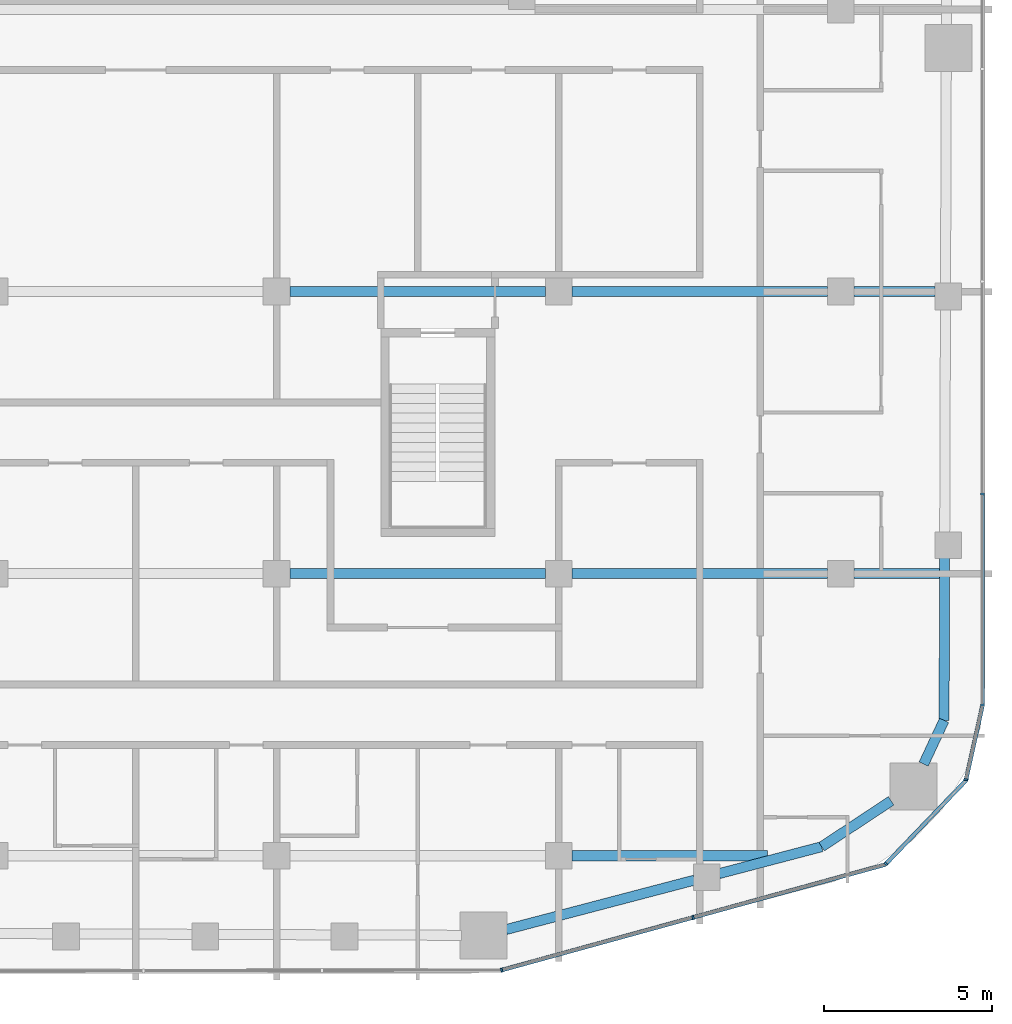
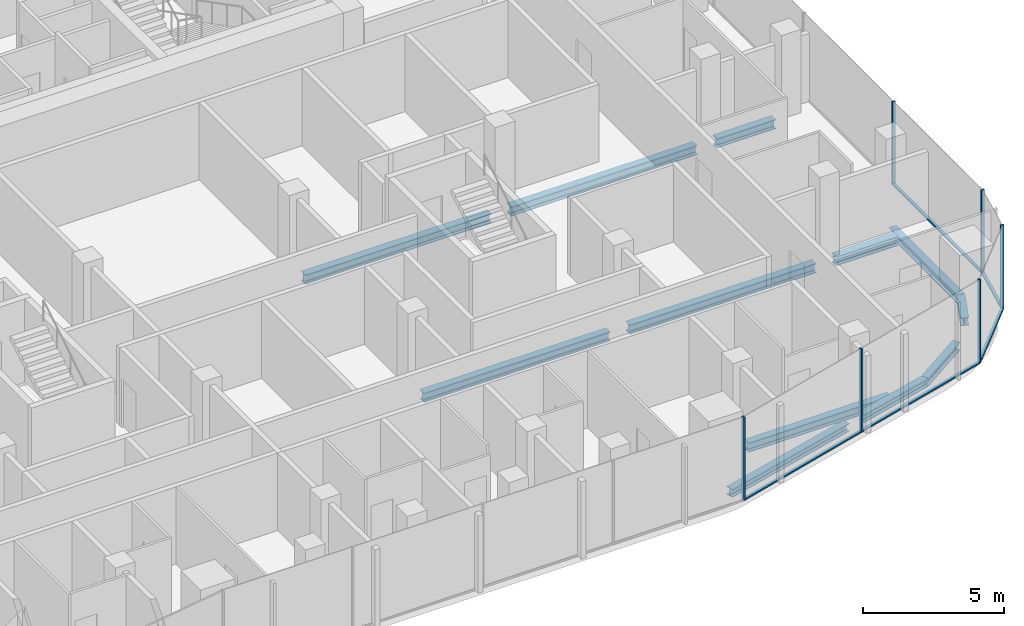
# One storey, part 6 of 22: 12 beams, 11 members, 4 elements without a shape of their own.
"""IFC4 building model written with IfcOpenShell, lengths in metres."""

from ifc_helpers import new_model, si_unit, direction, frame, origin, origin_2d, place, context, subcontext, project, spatial, rectangle, i_section, extrude, material, layer, layer_set, material_profile, profile_set, type_object, element, aggregate, save


model = new_model("IFC4")

# Units and contexts
model_context = context("Model", 3, precision=1e-05, world=origin(), true_north=direction((0.0, 1.0)))
body_context = subcontext(model_context, "Body", "Model", "MODEL_VIEW")
ifc_project = project(units=[si_unit("LENGTHUNIT", "METRE"), si_unit("AREAUNIT", "SQUARE_METRE"), si_unit("VOLUMEUNIT", "CUBIC_METRE"), si_unit("PLANEANGLEUNIT", "RADIAN"), si_unit("MASSUNIT", "GRAM", prefix="KILO")], contexts=[model_context])

# Site, building, storey
site_placement = place(None, origin())
site = spatial("IfcSite", under=ifc_project, at=site_placement, CompositionType="ELEMENT")
building_placement = place(site_placement, origin())
building = spatial("IfcBuilding", under=site, at=building_placement, Name="Marenta Gate Hotel Tower", CompositionType="ELEMENT")
storey_placement = place(building_placement, frame((0.0, 0.0, 230.89990234375)))
storey = spatial("IfcBuildingStorey", under=building, at=storey_placement, Name="L54", CompositionType="ELEMENT", Elevation=230.89990234375)

# Beams
ifc_material_1 = material(Name="Steel S355", Category="steel")
ifc_material_profile_1 = material_profile(ifc_material_1, i_section(OverallWidth=0.300048828125, OverallDepth=0.340087890625, WebThickness=0.011962890625, FlangeThickness=0.021484375, FilletRadius=0.027099609375, at=origin_2d()), Name="HEB 340")
ifc_profile_set_1 = profile_set([ifc_material_profile_1], Name="Steel S355")
beam_type_1 = type_object("IfcBeamType", Name="Edge beam HEB 340", PredefinedType="SPANDREL", material=ifc_profile_set_1)
beam_1_placement = place(storey_placement, frame((24.09130859375, -16.31201171875, -0.429931640625), z_axis=(-0.003318732666, -0.999994492992, 0.0), x_axis=(0.999994492992, -0.003318732666, 0.0)))
element("IfcBeam", 1, at=beam_1_placement, inside=storey, type_object=beam_type_1, Name="L54-EB-27", PredefinedType="SPANDREL", context=body_context, shape_type="SweptSolid", body=[
    extrude(i_section(OverallWidth=0.300048828125, OverallDepth=0.340087890625, WebThickness=0.011962890625, FlangeThickness=0.021484375, FilletRadius=0.027099609375, at=origin_2d()), origin(), (0.0, 0.0, 1.0), 4.855224609375),
])
beam_2_placement = place(storey_placement, frame((24.0751953125, -21.167236328125, -0.429931640625), z_axis=(-0.423341112024, -0.905970365338, 0.0), x_axis=(0.905970365338, -0.423341112024, 0.0)))
element("IfcBeam", 2, at=beam_2_placement, inside=storey, type_object=beam_type_1, Name="L54-EB-28", PredefinedType="SPANDREL", context=body_context, shape_type="SweptSolid", body=[
    extrude(i_section(OverallWidth=0.300048828125, OverallDepth=0.340087890625, WebThickness=0.011962890625, FlangeThickness=0.021484375, FilletRadius=0.027099609375, at=origin_2d()), origin(), (0.0, 0.0, 1.0), 1.437255859375),
])
beam_3_placement = place(storey_placement, frame((22.496337890625, -23.56640625, -0.429931640625), z_axis=(-0.834528740585, -0.550964410047, 0.0), x_axis=(0.550964410047, -0.834528740585, 0.0)))
element("IfcBeam", 3, at=beam_3_placement, inside=storey, type_object=beam_type_1, Name="L54-EB-29", PredefinedType="SPANDREL", context=body_context, shape_type="SweptSolid", body=[
    extrude(i_section(OverallWidth=0.300048828125, OverallDepth=0.340087890625, WebThickness=0.011962890625, FlangeThickness=0.021484375, FilletRadius=0.027099609375, at=origin_2d()), origin(), (0.0, 0.0, 1.0), 2.47705078125),
])
beam_4_placement = place(storey_placement, frame((20.42919921875, -24.93115234375, -0.429931640625), z_axis=(-0.967235227858, -0.253881889845, 0.0), x_axis=(0.253881889845, -0.967235227858, 0.0)))
element("IfcBeam", 4, at=beam_4_placement, inside=storey, type_object=beam_type_1, Name="L54-EB-30", PredefinedType="SPANDREL", context=body_context, shape_type="SweptSolid", body=[
    extrude(i_section(OverallWidth=0.300048828125, OverallDepth=0.340087890625, WebThickness=0.011962890625, FlangeThickness=0.021484375, FilletRadius=0.027099609375, at=origin_2d()), origin(), (0.0, 0.0, 1.0), 3.164794921875),
])
beam_5_placement = place(storey_placement, frame((16.6455078125, -25.92431640625, -0.429931640625), z_axis=(-0.96723496524, -0.253882890359, 0.0), x_axis=(0.253882890359, -0.96723496524, 0.0)))
element("IfcBeam", 5, at=beam_5_placement, inside=storey, type_object=beam_type_1, Name="L54-EB-31", PredefinedType="SPANDREL", context=body_context, shape_type="SweptSolid", body=[
    extrude(i_section(OverallWidth=0.300048828125, OverallDepth=0.340087890625, WebThickness=0.011962890625, FlangeThickness=0.021484375, FilletRadius=0.027099609375, at=origin_2d()), origin(), (0.0, 0.0, 1.0), 5.80810546875),
])
ifc_material_2 = material(Name="Steel S355", Category="steel")
ifc_material_profile_2 = material_profile(ifc_material_2, i_section(OverallWidth=0.300048828125, OverallDepth=0.39990234375, WebThickness=0.013427734375, FlangeThickness=0.02392578125, FilletRadius=0.027099609375, at=origin_2d()), Name="HEB 400")
ifc_profile_set_2 = profile_set([ifc_material_profile_2], Name="Steel S355")
beam_type_2 = type_object("IfcBeamType", Name="Girder HEB 400", PredefinedType="BEAM", material=ifc_profile_set_2)
beam_6_placement = place(storey_placement, frame((13.0, -25.199951171875, -0.4599609375), z_axis=(1.0, 0.0, 0.0), x_axis=(0.0, 1.0, 0.0)))
element("IfcBeam", 6, at=beam_6_placement, inside=storey, type_object=beam_type_2, Name="L54-GD-5", PredefinedType="BEAM", context=body_context, shape_type="SweptSolid", body=[
    extrude(i_section(OverallWidth=0.300048828125, OverallDepth=0.39990234375, WebThickness=0.013427734375, FlangeThickness=0.02392578125, FilletRadius=0.027099609375, at=origin_2d()), origin(), (0.0, 0.0, 1.0), 5.81396484375),
])
beam_7_placement = place(storey_placement, frame((4.60009765625, -16.800048828125, -0.4599609375), z_axis=(1.0, 0.0, 0.0), x_axis=(0.0, 1.0, 0.0)))
element("IfcBeam", 7, at=beam_7_placement, inside=storey, type_object=beam_type_2, Name="L54-GD-10", PredefinedType="BEAM", context=body_context, shape_type="SweptSolid", body=[
    extrude(i_section(OverallWidth=0.300048828125, OverallDepth=0.39990234375, WebThickness=0.013427734375, FlangeThickness=0.02392578125, FilletRadius=0.027099609375, at=origin_2d()), origin(), (0.0, 0.0, 1.0), 7.599853515625),
])
beam_8_placement = place(storey_placement, frame((13.0, -16.800048828125, -0.4599609375), z_axis=(1.0, 0.0, 0.0), x_axis=(0.0, 1.0, 0.0)))
element("IfcBeam", 8, at=beam_8_placement, inside=storey, type_object=beam_type_2, Name="L54-GD-11", PredefinedType="BEAM", context=body_context, shape_type="SweptSolid", body=[
    extrude(i_section(OverallWidth=0.300048828125, OverallDepth=0.39990234375, WebThickness=0.013427734375, FlangeThickness=0.02392578125, FilletRadius=0.027099609375, at=origin_2d()), origin(), (0.0, 0.0, 1.0), 7.60009765625),
])
beam_9_placement = place(storey_placement, frame((21.39990234375, -16.800048828125, -0.4599609375), z_axis=(1.0, 0.0, 0.0), x_axis=(0.0, 1.0, 0.0)))
element("IfcBeam", 9, at=beam_9_placement, inside=storey, type_object=beam_type_2, Name="L54-GD-12", PredefinedType="BEAM", context=body_context, shape_type="SweptSolid", body=[
    extrude(i_section(OverallWidth=0.300048828125, OverallDepth=0.39990234375, WebThickness=0.013427734375, FlangeThickness=0.02392578125, FilletRadius=0.027099609375, at=origin_2d()), origin(), (0.0, 0.0, 1.0), 2.539794921875),
])
beam_10_placement = place(storey_placement, frame((4.60009765625, -8.39990234375, -0.4599609375), z_axis=(1.0, 0.0, 0.0), x_axis=(0.0, 1.0, 0.0)))
element("IfcBeam", 10, at=beam_10_placement, inside=storey, type_object=beam_type_2, Name="L54-GD-17", PredefinedType="BEAM", context=body_context, shape_type="SweptSolid", body=[
    extrude(i_section(OverallWidth=0.300048828125, OverallDepth=0.39990234375, WebThickness=0.013427734375, FlangeThickness=0.02392578125, FilletRadius=0.027099609375, at=origin_2d()), origin(), (0.0, 0.0, 1.0), 7.599853515625),
])
beam_11_placement = place(storey_placement, frame((13.0, -8.39990234375, -0.4599609375), z_axis=(1.0, 0.0, 0.0), x_axis=(0.0, 1.0, 0.0)))
element("IfcBeam", 11, at=beam_11_placement, inside=storey, type_object=beam_type_2, Name="L54-GD-18", PredefinedType="BEAM", context=body_context, shape_type="SweptSolid", body=[
    extrude(i_section(OverallWidth=0.300048828125, OverallDepth=0.39990234375, WebThickness=0.013427734375, FlangeThickness=0.02392578125, FilletRadius=0.027099609375, at=origin_2d()), origin(), (0.0, 0.0, 1.0), 7.60009765625),
])
beam_12_placement = place(storey_placement, frame((21.39990234375, -8.39990234375, -0.4599609375), z_axis=(1.0, 0.0, 0.0), x_axis=(0.0, 1.0, 0.0)))
element("IfcBeam", 12, at=beam_12_placement, inside=storey, type_object=beam_type_2, Name="L54-GD-19", PredefinedType="BEAM", context=body_context, shape_type="SweptSolid", body=[
    extrude(i_section(OverallWidth=0.300048828125, OverallDepth=0.39990234375, WebThickness=0.013427734375, FlangeThickness=0.02392578125, FilletRadius=0.027099609375, at=origin_2d()), origin(), (0.0, 0.0, 1.0), 2.400146484375),
])

# Curtain wall, members
ifc_material_3 = material(Name="Tinted insulated glass in bronze anodised frame", Category="glass")
ifc_layer = layer(ifc_material_3, 0.1201171875)
ifc_layer_set = layer_set([ifc_layer], Name="Tinted insulated glass in bronze anodised frame")
curtain_wall_type = type_object("IfcCurtainWallType", Name="Tower unitised curtain wall CW1", PredefinedType="NOTDEFINED", material=ifc_layer_set)
curtain_wall_1_placement = place(storey_placement, origin())
curtain_wall_1 = element("IfcCurtainWall", 13, at=curtain_wall_1_placement, inside=storey, type_object=curtain_wall_type, Name="CW1 run G08", PredefinedType="NOTDEFINED")
ifc_material_4 = material(Name="Bronze anodised aluminium", Category="aluminium")
ifc_material_profile_3 = material_profile(ifc_material_4, rectangle(XDim=0.1201171875, YDim=0.06005859375, at=origin_2d()), Name="Mullion CW1 60x120 bronze anodised aluminium")
ifc_profile_set_3 = profile_set([ifc_material_profile_3], Name="Bronze anodised aluminium")
member_type_1 = type_object("IfcMemberType", Name="Mullion CW1 60x120 bronze anodised aluminium", PredefinedType="MULLION", material=ifc_profile_set_3)
member_1_placement = place(storey_placement, frame((10.902587890625, -28.6044921875, 0.0), z_axis=(0.0, 0.0, 1.0), x_axis=(-0.265293272675, 0.964167765212, 0.0)))
member_1 = element("IfcMember", 14, at=member_1_placement, type_object=member_type_1, Name="CW1 mullion 1", PredefinedType="MULLION", context=body_context, shape_type="SweptSolid", body=[
    extrude(rectangle(XDim=0.1201171875, YDim=0.06005859375, at=origin_2d()), origin(), (0.0, 0.0, 1.0), 3.60009765625),
])
member_2_placement = place(storey_placement, frame((16.599365234375, -27.037109375, 0.0), z_axis=(0.0, 0.0, 1.0), x_axis=(-0.265293272675, 0.964167765212, 0.0)))
member_2 = element("IfcMember", 15, at=member_2_placement, type_object=member_type_1, Name="CW1 mullion 2", PredefinedType="MULLION", context=body_context, shape_type="SweptSolid", body=[
    extrude(rectangle(XDim=0.1201171875, YDim=0.06005859375, at=origin_2d()), origin(), (0.0, 0.0, 1.0), 3.60009765625),
])

# Curtain wall, member
curtain_wall_2_placement = place(storey_placement, origin())
curtain_wall_2 = element("IfcCurtainWall", 16, at=curtain_wall_2_placement, inside=storey, type_object=curtain_wall_type, Name="CW1 run G09", PredefinedType="NOTDEFINED")
member_3_placement = place(storey_placement, frame((22.345458984375, -25.43994140625, 0.0), z_axis=(0.0, 0.0, 1.0), x_axis=(-0.72137172224, 0.692548076564, 0.0)))
member_3 = element("IfcMember", 17, at=member_3_placement, type_object=member_type_1, Name="CW1 mullion 1", PredefinedType="MULLION", context=body_context, shape_type="SweptSolid", body=[
    extrude(rectangle(XDim=0.1201171875, YDim=0.06005859375, at=origin_2d()), origin(), (0.0, 0.0, 1.0), 3.60009765625),
])

curtain_wall_3_placement = place(storey_placement, origin())
curtain_wall_3 = element("IfcCurtainWall", 18, at=curtain_wall_3_placement, inside=storey, type_object=curtain_wall_type, Name="CW1 run G10", PredefinedType="NOTDEFINED")
member_4_placement = place(storey_placement, frame((24.726806640625, -22.937255859375, 0.0), z_axis=(0.0, 0.0, 1.0), x_axis=(-0.97620669183, 0.216842096529, 0.0)))
member_4 = element("IfcMember", 19, at=member_4_placement, type_object=member_type_1, Name="CW1 mullion 1", PredefinedType="MULLION", context=body_context, shape_type="SweptSolid", body=[
    extrude(rectangle(XDim=0.1201171875, YDim=0.06005859375, at=origin_2d()), origin(), (0.0, 0.0, 1.0), 3.60009765625),
])

# Curtain wall, members
curtain_wall_4_placement = place(storey_placement, origin())
curtain_wall_4 = element("IfcCurtainWall", 20, at=curtain_wall_4_placement, inside=storey, type_object=curtain_wall_type, Name="CW1 run G11", PredefinedType="NOTDEFINED")
member_5_placement = place(storey_placement, frame((25.214111328125, -20.7138671875, 0.0), z_axis=(0.0, 0.0, 1.0), x_axis=(-1.0, 0.0, 0.0)))
member_5 = element("IfcMember", 21, at=member_5_placement, type_object=member_type_1, Name="CW1 mullion 1", PredefinedType="MULLION", context=body_context, shape_type="SweptSolid", body=[
    extrude(rectangle(XDim=0.1201171875, YDim=0.06005859375, at=origin_2d()), origin(), (0.0, 0.0, 1.0), 3.60009765625),
])
member_6_placement = place(storey_placement, frame((25.214111328125, -14.42138671875, 0.0), z_axis=(0.0, 0.0, 1.0), x_axis=(-1.0, 0.0, 0.0)))
member_6 = element("IfcMember", 22, at=member_6_placement, type_object=member_type_1, Name="CW1 mullion 2", PredefinedType="MULLION", context=body_context, shape_type="SweptSolid", body=[
    extrude(rectangle(XDim=0.1201171875, YDim=0.06005859375, at=origin_2d()), origin(), (0.0, 0.0, 1.0), 3.60009765625),
])

# Member
ifc_material_5 = material(Name="Bronze anodised aluminium", Category="aluminium")
ifc_material_profile_4 = material_profile(ifc_material_5, rectangle(XDim=0.1201171875, YDim=0.06005859375, at=origin_2d()), Name="Transom CW1 60x120 bronze anodised aluminium")
ifc_profile_set_4 = profile_set([ifc_material_profile_4], Name="Bronze anodised aluminium")
member_type_2 = type_object("IfcMemberType", Name="Transom CW1 60x120 bronze anodised aluminium", PredefinedType="USERDEFINED", material=ifc_profile_set_4)
member_7_placement = place(storey_placement, frame((10.931640625, -28.5966796875, 0.030029296875), z_axis=(0.964166959812, 0.265296199758, 0.0), x_axis=(-0.265296199758, 0.964166959812, 0.0)))
member_7 = element("IfcMember", 23, at=member_7_placement, type_object=member_type_2, Name="CW1 transom 1.1", ObjectType="TRANSOM", PredefinedType="USERDEFINED", context=body_context, shape_type="SweptSolid", body=[
    extrude(rectangle(XDim=0.1201171875, YDim=0.06005859375, at=origin_2d()), origin(), (0.0, 0.0, 1.0), 5.84814453125),
])

member_8_placement = place(storey_placement, frame((16.628173828125, -27.029052734375, 0.030029296875), z_axis=(0.964169199953, 0.265288058274, 0.0), x_axis=(-0.265288058274, 0.964169199953, 0.0)))
member_8 = element("IfcMember", 24, at=member_8_placement, type_object=member_type_2, Name="CW1 transom 2.1", ObjectType="TRANSOM", PredefinedType="USERDEFINED", context=body_context, shape_type="SweptSolid", body=[
    extrude(rectangle(XDim=0.1201171875, YDim=0.06005859375, at=origin_2d()), origin(), (0.0, 0.0, 1.0), 5.908203125),
])

aggregate(curtain_wall_1, [member_1, member_2, member_7, member_8])

member_9_placement = place(storey_placement, frame((22.366455078125, -25.41845703125, 0.030029296875), z_axis=(0.692521361505, 0.721397368903, 0.0), x_axis=(-0.721397368903, 0.692521361505, 0.0)))
member_9 = element("IfcMember", 25, at=member_9_placement, type_object=member_type_2, Name="CW1 transom 1.1", ObjectType="TRANSOM", PredefinedType="USERDEFINED", context=body_context, shape_type="SweptSolid", body=[
    extrude(rectangle(XDim=0.1201171875, YDim=0.06005859375, at=origin_2d()), origin(), (0.0, 0.0, 1.0), 3.39892578125),
])

aggregate(curtain_wall_2, [member_3, member_9])

member_10_placement = place(storey_placement, frame((24.7333984375, -22.907958984375, 0.030029296875), z_axis=(0.216848830219, 0.976205196069, 0.0), x_axis=(-0.976205196069, 0.216848830219, 0.0)))
member_10 = element("IfcMember", 26, at=member_10_placement, type_object=member_type_2, Name="CW1 transom 1.1", ObjectType="TRANSOM", PredefinedType="USERDEFINED", context=body_context, shape_type="SweptSolid", body=[
    extrude(rectangle(XDim=0.1201171875, YDim=0.06005859375, at=origin_2d()), origin(), (0.0, 0.0, 1.0), 2.216796875),
])

aggregate(curtain_wall_3, [member_4, member_10])

member_11_placement = place(storey_placement, frame((25.214111328125, -20.683837890625, 0.030029296875), z_axis=(0.0, 1.0, 0.0), x_axis=(-1.0, 0.0, 0.0)))
member_11 = element("IfcMember", 27, at=member_11_placement, type_object=member_type_2, Name="CW1 transom 1.1", ObjectType="TRANSOM", PredefinedType="USERDEFINED", context=body_context, shape_type="SweptSolid", body=[
    extrude(rectangle(XDim=0.1201171875, YDim=0.06005859375, at=origin_2d()), origin(), (0.0, 0.0, 1.0), 6.232666015625),
])

aggregate(curtain_wall_4, [member_5, member_6, member_11])

save(model, "model.ifc")
